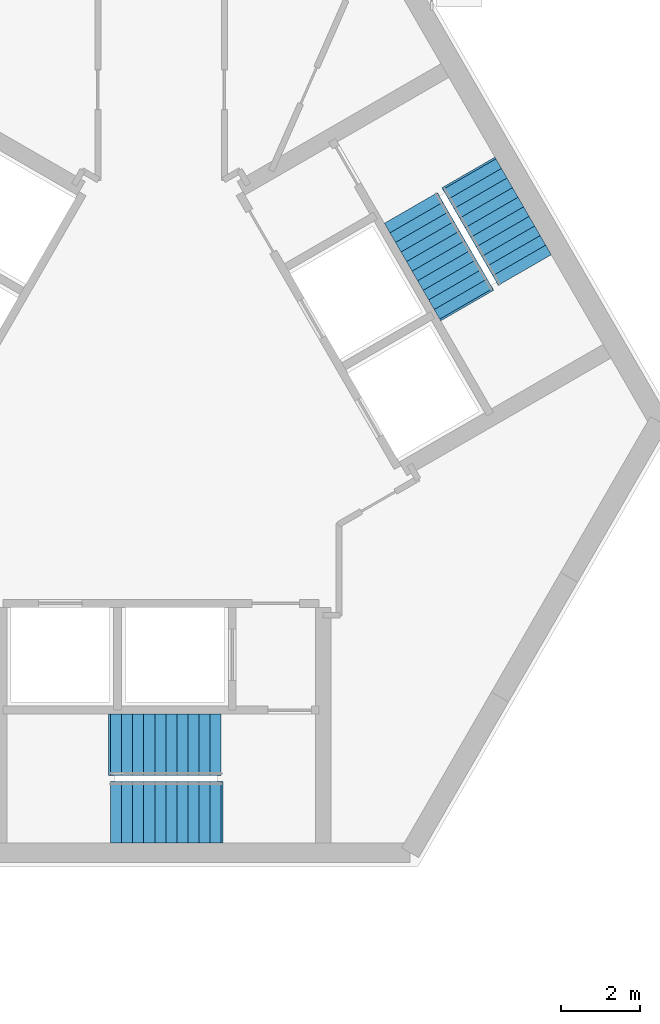
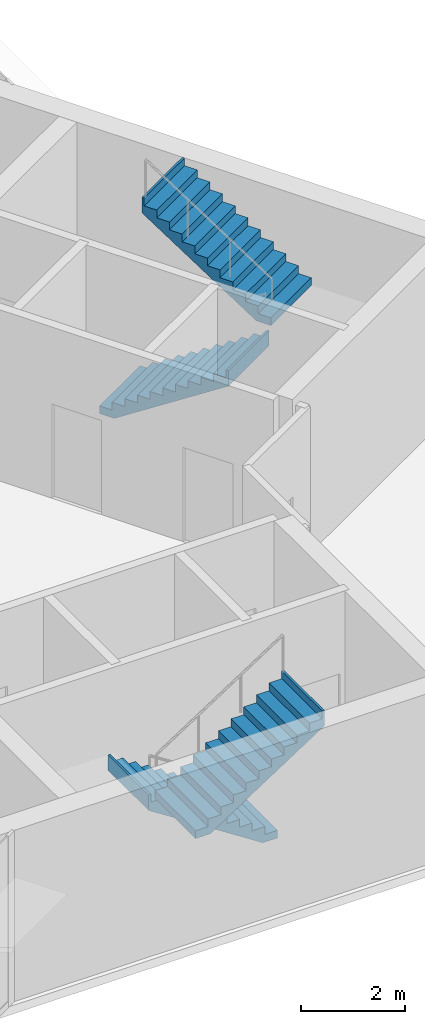
# One storey, part 17 of 18: 4 stair flights, 2 elements without a shape of their own.
"""IFC4 building model written with IfcOpenShell, lengths in metres."""

from ifc_helpers import new_model, si_unit, direction, frame, origin, place, context, subcontext, project, spatial, polyline, outline, extrude, material, type_object, element, aggregate, save


model = new_model("IFC4")

# Units and contexts
model_context = context("Model", 3, precision=1e-05, world=origin(), true_north=direction((0.0, 1.0)))
body_context = subcontext(model_context, "Body", "Model", "MODEL_VIEW")
ifc_project = project(units=[si_unit("LENGTHUNIT", "METRE"), si_unit("AREAUNIT", "SQUARE_METRE"), si_unit("VOLUMEUNIT", "CUBIC_METRE"), si_unit("PLANEANGLEUNIT", "RADIAN"), si_unit("MASSUNIT", "GRAM", prefix="KILO")], contexts=[model_context])

# Site, building, storey
site_placement = place(None, origin())
site = spatial("IfcSite", under=ifc_project, at=site_placement, CompositionType="ELEMENT")
building_placement = place(site_placement, origin())
building = spatial("IfcBuilding", under=site, at=building_placement, Name="Upepo Twin Towers", CompositionType="ELEMENT")
storey_placement = place(building_placement, frame((0.0, 0.0, 218.5)))
storey = spatial("IfcBuildingStorey", under=building, at=storey_placement, Name="L53", CompositionType="ELEMENT", Elevation=218.5)

# Stair, stair flights
ifc_material_1 = material(Name="Concrete C40/50", Category="concrete")
stair_type = type_object("IfcStairType", Name="Core stair, two flights", PredefinedType="HALF_TURN_STAIR", material=ifc_material_1)
stair_1_placement = place(storey_placement, origin())
stair_1 = element("IfcStair", 1, at=stair_1_placement, inside=storey, type_object=stair_type, Name="T2 stair S1 L53", PredefinedType="HALF_TURN_STAIR")
ifc_material_2 = material(Name="Concrete C40/50", Category="concrete")
stair_flight_type = type_object("IfcStairFlightType", Name="Stair flight 1550 RC", PredefinedType="STRAIGHT", material=ifc_material_2)
stair_flight_1_placement = place(storey_placement, frame((60.02001953125, -26.175048828125, 0.0), z_axis=(0.0, 0.0, 1.0), x_axis=(-1.0, 0.0, 0.0)))
stair_flight_1 = element("IfcStairFlight", 2, at=stair_flight_1_placement, type_object=stair_flight_type, Name="Stair S1 flight 1", NumberOfRisers=11, NumberOfTreads=10, PredefinedType="STRAIGHT", RiserHeight=0.181818182, TreadLength=0.28, context=body_context, shape_type="SweptSolid", body=[
    extrude(outline(polyline([(0.0, 0.0), (0.0, 0.181884765625), (0.280029296875, 0.181884765625), (0.280029296875, 0.363525390625), (0.56005859375, 0.363525390625), (0.56005859375, 0.54541015625), (0.840087890625, 0.54541015625), (0.840087890625, 0.727294921875), (1.1201171875, 0.727294921875), (1.1201171875, 0.9091796875), (1.39990234375, 0.9091796875), (1.39990234375, 1.0908203125), (1.679931640625, 1.0908203125), (1.679931640625, 1.272705078125), (1.9599609375, 1.272705078125), (1.9599609375, 1.45458984375), (2.239990234375, 1.45458984375), (2.239990234375, 1.636474609375), (2.52001953125, 1.636474609375), (2.52001953125, 1.818115234375), (2.800048828125, 1.818115234375), (2.800048828125, 2.0), (2.85009765625, 2.0), (2.85009765625, 1.639404296875), (0.3251953125, 0.0), (0.0, 0.0)])), frame((0.0, 0.77490234375, 0.0), z_axis=(0.0, -1.0, 0.0), x_axis=(1.0, 0.0, 0.0)), (0.0, 0.0, 1.0), 1.550048828125),
])
stair_flight_2_placement = place(storey_placement, frame((57.219970703125, -27.88330078125, 2.0), z_axis=(0.0, 0.0, 1.0), x_axis=(1.0, 0.0, 0.0)))
stair_flight_2 = element("IfcStairFlight", 3, at=stair_flight_2_placement, type_object=stair_flight_type, Name="Stair S1 flight 2", NumberOfRisers=11, NumberOfTreads=10, PredefinedType="STRAIGHT", RiserHeight=0.181818182, TreadLength=0.28, context=body_context, shape_type="SweptSolid", body=[
    extrude(outline(polyline([(0.0, 0.0), (0.0, 0.181884765625), (0.280029296875, 0.181884765625), (0.280029296875, 0.363525390625), (0.56005859375, 0.363525390625), (0.56005859375, 0.54541015625), (0.840087890625, 0.54541015625), (0.840087890625, 0.727294921875), (1.1201171875, 0.727294921875), (1.1201171875, 0.9091796875), (1.39990234375, 0.9091796875), (1.39990234375, 1.0908203125), (1.679931640625, 1.0908203125), (1.679931640625, 1.272705078125), (1.9599609375, 1.272705078125), (1.9599609375, 1.45458984375), (2.239990234375, 1.45458984375), (2.239990234375, 1.636474609375), (2.52001953125, 1.636474609375), (2.52001953125, 1.818115234375), (2.800048828125, 1.818115234375), (2.800048828125, 2.0), (2.85009765625, 2.0), (2.85009765625, 1.639404296875), (0.3251953125, 0.0), (0.0, 0.0)])), frame((0.0, 0.77490234375, 0.0), z_axis=(0.0, -1.0, 0.0), x_axis=(1.0, 0.0, 0.0)), (0.0, 0.0, 1.0), 1.550048828125),
])
aggregate(stair_1, [stair_flight_1, stair_flight_2])

stair_2_placement = place(storey_placement, origin())
stair_2 = element("IfcStair", 4, at=stair_2_placement, inside=storey, type_object=stair_type, Name="T2 stair S2 L53", PredefinedType="HALF_TURN_STAIR")
stair_flight_3_placement = place(storey_placement, frame((64.81982421875, -12.59619140625, 0.0), z_axis=(0.0, 0.0, 1.0), x_axis=(0.5, -0.866025403784, 0.0)))
stair_flight_3 = element("IfcStairFlight", 5, at=stair_flight_3_placement, type_object=stair_flight_type, Name="Stair S2 flight 1", NumberOfRisers=11, NumberOfTreads=10, PredefinedType="STRAIGHT", RiserHeight=0.181818182, TreadLength=0.28, context=body_context, shape_type="SweptSolid", body=[
    extrude(outline(polyline([(0.0, 0.0), (0.0, 0.181884765625), (0.280029296875, 0.181884765625), (0.280029296875, 0.363525390625), (0.56005859375, 0.363525390625), (0.56005859375, 0.54541015625), (0.840087890625, 0.54541015625), (0.840087890625, 0.727294921875), (1.1201171875, 0.727294921875), (1.1201171875, 0.9091796875), (1.39990234375, 0.9091796875), (1.39990234375, 1.0908203125), (1.679931640625, 1.0908203125), (1.679931640625, 1.272705078125), (1.9599609375, 1.272705078125), (1.9599609375, 1.45458984375), (2.239990234375, 1.45458984375), (2.239990234375, 1.636474609375), (2.52001953125, 1.636474609375), (2.52001953125, 1.818115234375), (2.800048828125, 1.818115234375), (2.800048828125, 2.0), (2.85009765625, 2.0), (2.85009765625, 1.639404296875), (0.3251953125, 0.0), (0.0, 0.0)])), frame((0.0, 0.77490234375, 0.0), z_axis=(0.0, -1.0, 0.0), x_axis=(1.0, 0.0, 0.0)), (0.0, 0.0, 1.0), 1.550048828125),
])
stair_flight_4_placement = place(storey_placement, frame((67.69921875, -14.166748046875, 2.0), z_axis=(0.0, 0.0, 1.0), x_axis=(-0.5, 0.866025403784, 0.0)))
stair_flight_4 = element("IfcStairFlight", 6, at=stair_flight_4_placement, type_object=stair_flight_type, Name="Stair S2 flight 2", NumberOfRisers=11, NumberOfTreads=10, PredefinedType="STRAIGHT", RiserHeight=0.181818182, TreadLength=0.28, context=body_context, shape_type="SweptSolid", body=[
    extrude(outline(polyline([(0.0, 0.0), (0.0, 0.181884765625), (0.280029296875, 0.181884765625), (0.280029296875, 0.363525390625), (0.56005859375, 0.363525390625), (0.56005859375, 0.54541015625), (0.840087890625, 0.54541015625), (0.840087890625, 0.727294921875), (1.1201171875, 0.727294921875), (1.1201171875, 0.9091796875), (1.39990234375, 0.9091796875), (1.39990234375, 1.0908203125), (1.679931640625, 1.0908203125), (1.679931640625, 1.272705078125), (1.9599609375, 1.272705078125), (1.9599609375, 1.45458984375), (2.239990234375, 1.45458984375), (2.239990234375, 1.636474609375), (2.52001953125, 1.636474609375), (2.52001953125, 1.818115234375), (2.800048828125, 1.818115234375), (2.800048828125, 2.0), (2.85009765625, 2.0), (2.85009765625, 1.639404296875), (0.3251953125, 0.0), (0.0, 0.0)])), frame((0.0, 0.77490234375, 0.0), z_axis=(0.0, -1.0, 0.0), x_axis=(1.0, 0.0, 0.0)), (0.0, 0.0, 1.0), 1.550048828125),
])
aggregate(stair_2, [stair_flight_3, stair_flight_4])

save(model, "model.ifc")
